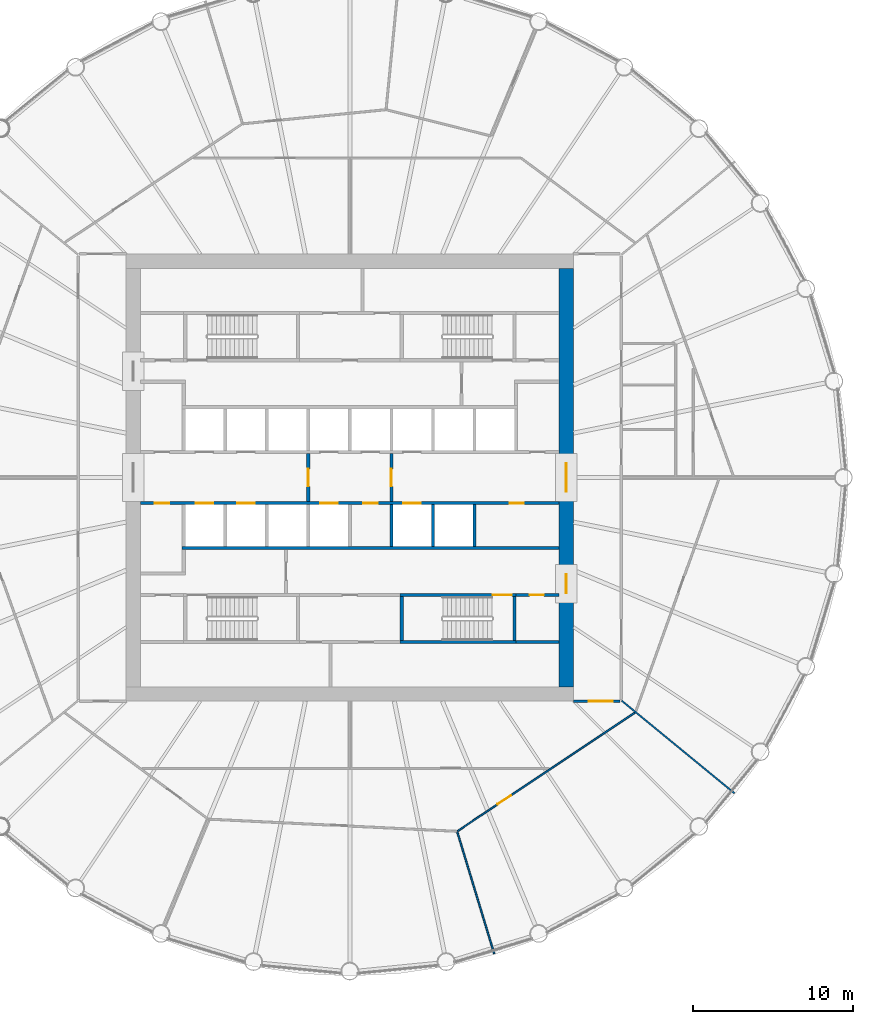
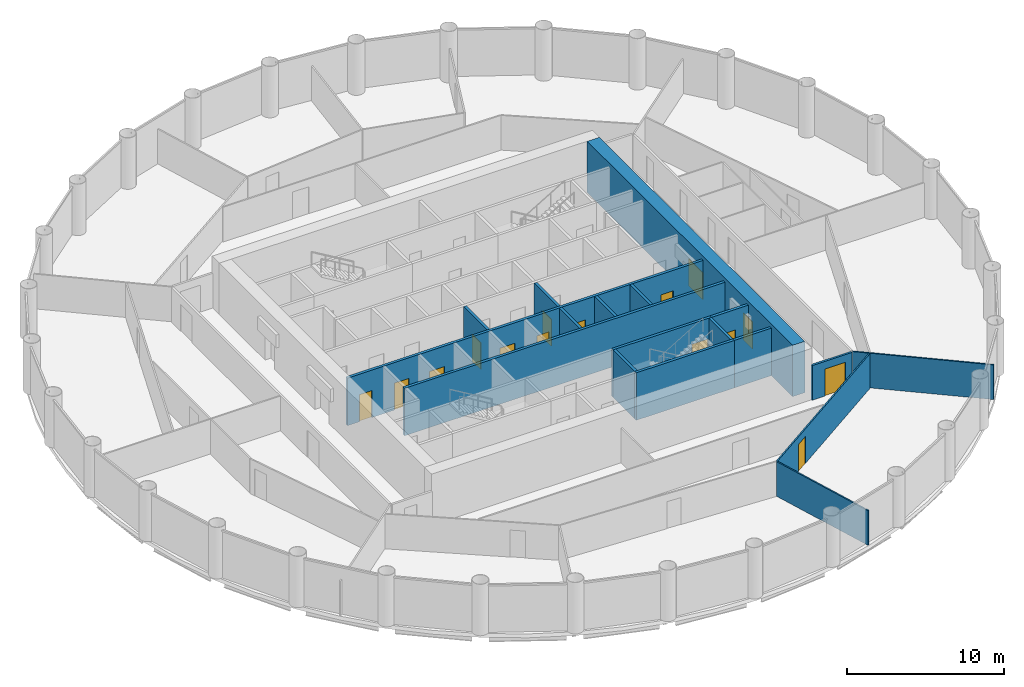
# One storey, part 5 of 9: 18 walls, 15 doors, 15 openings.
"""IFC4 building model written with IfcOpenShell, lengths in metres."""

from ifc_helpers import new_model, si_unit, direction, frame, frame_2d, origin, place, context, subcontext, project, spatial, polyline, rectangle, outline, extrude, material, layer, layer_set, type_object, element, fill, save


model = new_model("IFC4")

# Units and contexts
model_context = context("Model", 3, precision=1e-05, world=origin(), true_north=direction((0.0, 1.0)))
body_context = subcontext(model_context, "Body", "Model", "MODEL_VIEW")
ifc_project = project(units=[si_unit("LENGTHUNIT", "METRE"), si_unit("AREAUNIT", "SQUARE_METRE"), si_unit("VOLUMEUNIT", "CUBIC_METRE"), si_unit("PLANEANGLEUNIT", "RADIAN"), si_unit("MASSUNIT", "GRAM", prefix="KILO")], contexts=[model_context])

# Site, building, storey
site_placement = place(None, origin())
site = spatial("IfcSite", under=ifc_project, at=site_placement, CompositionType="ELEMENT")
building_placement = place(site_placement, origin())
building = spatial("IfcBuilding", under=site, at=building_placement, Name="Corvane Civic Tower", CompositionType="ELEMENT")
storey_placement = place(building_placement, frame((0.0, 0.0, 184.0)))
storey = spatial("IfcBuildingStorey", under=building, at=storey_placement, Name="L43", CompositionType="ELEMENT", Elevation=184.0)

# Wall, openings, doors
ifc_material_1 = material(Name="Concrete C60/75", Category="concrete")
ifc_layer_1 = layer(ifc_material_1, 0.89990234375)
ifc_layer_set_1 = layer_set([ifc_layer_1], Name="Concrete C60/75")
wall_type_1 = type_object("IfcWallType", Name="CORE WALL 900 C60/75", PredefinedType="SHEAR", material=ifc_layer_set_1)
wall_1_placement = place(storey_placement, frame((13.550048828125, -13.10009765625, 0.0), z_axis=(0.0, 0.0, 1.0), x_axis=(0.0, 1.0, 0.0)))
wall_1 = element("IfcWall", 1, at=wall_1_placement, inside=storey, type_object=wall_type_1, Name="W-L43-core-E", PredefinedType="SHEAR", context=body_context, shape_type="SweptSolid", body=[
    extrude(rectangle(XDim=26.2001953125, YDim=0.89990234375, at=frame_2d((13.10009765625, 0.0))), origin(), (0.0, 0.0, 1.0), 4.0),
])
opening_1_placement = place(wall_1_placement, frame((12.199951171875, 0.0, 0.0)))
opening_1 = element("IfcOpeningElement", 2, at=opening_1_placement, cuts=wall_1, Name="Opening L43.C25", PredefinedType="OPENING", context=body_context, shape_type="SweptSolid", body=[
    extrude(rectangle(XDim=1.800048828125, YDim=2.10009765625, at=frame_2d((0.89990234375, 1.050048828125))), frame((0.0, 0.4599609375, 0.0), z_axis=(0.0, -1.0, 0.0), x_axis=(1.0, 0.0, 0.0)), (0.0, 0.0, 1.0), 0.919921875),
])
opening_2_placement = place(wall_1_placement, frame((5.85009765625, 0.0, 0.0)))
opening_2 = element("IfcOpeningElement", 3, at=opening_2_placement, cuts=wall_1, Name="Opening L43.C27", PredefinedType="OPENING", context=body_context, shape_type="SweptSolid", body=[
    extrude(rectangle(XDim=1.199951171875, YDim=2.10009765625, at=frame_2d((0.60009765625, 1.050048828125))), frame((0.0, 0.4599609375, 0.0), z_axis=(0.0, -1.0, 0.0), x_axis=(1.0, 0.0, 0.0)), (0.0, 0.0, 1.0), 0.919921875),
])
ifc_material_2 = material(Name="Steel fire door leaf", Category="steel")
door_type_1 = type_object("IfcDoorType", Name="CR-DOOR-CORE-1800", OperationType="DOUBLE_DOOR_SINGLE_SWING", PredefinedType="DOOR", material=ifc_material_2)
door_1_placement = place(opening_1_placement, origin())
door_1 = element("IfcDoor", 4, at=door_1_placement, inside=storey, type_object=door_type_1, Name="L43 door", OperationType="DOUBLE_DOOR_SINGLE_SWING", OverallHeight=2.10009765625, OverallWidth=1.800048828125, PredefinedType="DOOR", context=body_context, shape_type="SweptSolid", body=[
    extrude(rectangle(XDim=1.800048828125, YDim=2.10009765625, at=frame_2d((0.89990234375, 1.050048828125))), frame((0.0, 0.02490234375, 0.0), z_axis=(0.0, -1.0, 0.0), x_axis=(1.0, 0.0, 0.0)), (0.0, 0.0, 1.0), 0.050048828125),
])
fill(opening_1, door_1)
door_2_placement = place(opening_2_placement, origin())
door_2 = element("IfcDoor", 5, at=door_2_placement, inside=storey, type_object=door_type_1, Name="L43 door", OperationType="DOUBLE_DOOR_SINGLE_SWING", OverallHeight=2.10009765625, OverallWidth=1.199951171875, PredefinedType="DOOR", context=body_context, shape_type="SweptSolid", body=[
    extrude(rectangle(XDim=1.199951171875, YDim=2.10009765625, at=frame_2d((0.60009765625, 1.050048828125))), frame((0.0, 0.02490234375, 0.0), z_axis=(0.0, -1.0, 0.0), x_axis=(1.0, 0.0, 0.0)), (0.0, 0.0, 1.0), 0.050048828125),
])
fill(opening_2, door_2)

# Wall, opening, door
ifc_material_3 = material(Name="Concrete C30/37", Category="concrete")
ifc_layer_2 = layer(ifc_material_3, 0.199951171875)
ifc_layer_set_2 = layer_set([ifc_layer_2], Name="Concrete C30/37")
wall_type_2 = type_object("IfcWallType", Name="CR-WALL-200", PredefinedType="PARTITIONING", material=ifc_layer_set_2)
wall_2_placement = place(storey_placement, frame((10.39990234375, -7.35009765625, 0.0), z_axis=(0.0, 0.0, 1.0), x_axis=(1.0, 0.0, 0.0)))
wall_2 = element("IfcWall", 6, at=wall_2_placement, inside=storey, type_object=wall_type_2, Name="L43 core partition wall", PredefinedType="PARTITIONING", context=body_context, shape_type="SweptSolid", body=[
    extrude(rectangle(XDim=2.7001953125, YDim=0.199951171875, at=frame_2d((1.35009765625, 0.0))), origin(), (0.0, 0.0, 1.0), 3.699951171875),
])
opening_3_placement = place(wall_2_placement, frame((0.85009765625, 0.0, 0.0)))
opening_3 = element("IfcOpeningElement", 7, at=opening_3_placement, cuts=wall_2, Name="Opening L43.C15", PredefinedType="OPENING", context=body_context, shape_type="SweptSolid", body=[
    extrude(rectangle(XDim=0.89990234375, YDim=2.10009765625, at=frame_2d((0.449951171875, 1.050048828125))), frame((0.0, 0.10986328125, 0.0), z_axis=(0.0, -1.0, 0.0), x_axis=(1.0, 0.0, 0.0)), (0.0, 0.0, 1.0), 0.219970703125),
])
ifc_material_4 = material(Name="Steel fire door leaf", Category="steel")
door_type_2 = type_object("IfcDoorType", Name="CR-DOOR-900", OperationType="SINGLE_SWING_LEFT", PredefinedType="DOOR", material=ifc_material_4)
door_3_placement = place(opening_3_placement, origin())
door_3 = element("IfcDoor", 8, at=door_3_placement, inside=storey, type_object=door_type_2, Name="L43 door", OperationType="SINGLE_SWING_LEFT", OverallHeight=2.10009765625, OverallWidth=0.89990234375, PredefinedType="DOOR", context=body_context, shape_type="SweptSolid", body=[
    extrude(rectangle(XDim=0.89990234375, YDim=2.10009765625, at=frame_2d((0.449951171875, 1.050048828125))), frame((0.0, 0.02490234375, 0.0), z_axis=(0.0, -1.0, 0.0), x_axis=(1.0, 0.0, 0.0)), (0.0, 0.0, 1.0), 0.050048828125),
])
fill(opening_3, door_3)

# Wall, openings, doors
wall_3_placement = place(storey_placement, frame((-13.10009765625, -1.60009765625, 0.0), z_axis=(0.0, 0.0, 1.0), x_axis=(1.0, 0.0, 0.0)))
wall_3 = element("IfcWall", 9, at=wall_3_placement, inside=storey, type_object=wall_type_2, Name="L43 lift shaft wall", PredefinedType="PARTITIONING", context=body_context, shape_type="SweptSolid", body=[
    extrude(rectangle(XDim=26.2001953125, YDim=0.199951171875, at=frame_2d((13.10009765625, 0.0))), origin(), (0.0, 0.0, 1.0), 3.699951171875),
])
opening_4_placement = place(wall_3_placement, frame((3.449951171875, 0.0, 0.0)))
opening_4 = element("IfcOpeningElement", 10, at=opening_4_placement, cuts=wall_3, Name="Opening LD", PredefinedType="OPENING", context=body_context, shape_type="SweptSolid", body=[
    extrude(rectangle(XDim=1.10009765625, YDim=2.10009765625, at=frame_2d((0.550048828125, 1.050048828125))), frame((0.0, 0.10986328125, 0.0), z_axis=(0.0, -1.0, 0.0), x_axis=(1.0, 0.0, 0.0)), (0.0, 0.0, 1.0), 0.219970703125),
])
opening_5_placement = place(wall_3_placement, frame((6.050048828125, 0.0, 0.0)))
opening_5 = element("IfcOpeningElement", 11, at=opening_5_placement, cuts=wall_3, Name="Opening LD", PredefinedType="OPENING", context=body_context, shape_type="SweptSolid", body=[
    extrude(rectangle(XDim=1.10009765625, YDim=2.10009765625, at=frame_2d((0.550048828125, 1.050048828125))), frame((0.0, 0.10986328125, 0.0), z_axis=(0.0, -1.0, 0.0), x_axis=(1.0, 0.0, 0.0)), (0.0, 0.0, 1.0), 0.219970703125),
])
opening_6_placement = place(wall_3_placement, frame((11.25, 0.0, 0.0)))
opening_6 = element("IfcOpeningElement", 12, at=opening_6_placement, cuts=wall_3, Name="Opening LD", PredefinedType="OPENING", context=body_context, shape_type="SweptSolid", body=[
    extrude(rectangle(XDim=1.10009765625, YDim=2.10009765625, at=frame_2d((0.550048828125, 1.050048828125))), frame((0.0, 0.10986328125, 0.0), z_axis=(0.0, -1.0, 0.0), x_axis=(1.0, 0.0, 0.0)), (0.0, 0.0, 1.0), 0.219970703125),
])
opening_7_placement = place(wall_3_placement, frame((13.949951171875, 0.0, 0.0)))
opening_7 = element("IfcOpeningElement", 13, at=opening_7_placement, cuts=wall_3, Name="Opening L43.C03", PredefinedType="OPENING", context=body_context, shape_type="SweptSolid", body=[
    extrude(rectangle(XDim=0.89990234375, YDim=2.10009765625, at=frame_2d((0.449951171875, 1.050048828125))), frame((0.0, 0.10986328125, 0.0), z_axis=(0.0, -1.0, 0.0), x_axis=(1.0, 0.0, 0.0)), (0.0, 0.0, 1.0), 0.219970703125),
])
opening_8_placement = place(wall_3_placement, frame((16.449951171875, 0.0, 0.0)))
opening_8 = element("IfcOpeningElement", 14, at=opening_8_placement, cuts=wall_3, Name="Opening LD", PredefinedType="OPENING", context=body_context, shape_type="SweptSolid", body=[
    extrude(rectangle(XDim=1.10009765625, YDim=2.10009765625, at=frame_2d((0.550048828125, 1.050048828125))), frame((0.0, 0.10986328125, 0.0), z_axis=(0.0, -1.0, 0.0), x_axis=(1.0, 0.0, 0.0)), (0.0, 0.0, 1.0), 0.219970703125),
])
opening_9_placement = place(wall_3_placement, frame((0.89990234375, 0.0, 0.0)))
opening_9 = element("IfcOpeningElement", 15, at=opening_9_placement, cuts=wall_3, Name="Opening L43.C04", PredefinedType="OPENING", context=body_context, shape_type="SweptSolid", body=[
    extrude(rectangle(XDim=0.89990234375, YDim=2.10009765625, at=frame_2d((0.449951171875, 1.050048828125))), frame((0.0, 0.10986328125, 0.0), z_axis=(0.0, -1.0, 0.0), x_axis=(1.0, 0.0, 0.0)), (0.0, 0.0, 1.0), 0.219970703125),
])
opening_10_placement = place(wall_3_placement, frame((23.10009765625, 0.0, 0.0)))
opening_10 = element("IfcOpeningElement", 16, at=opening_10_placement, cuts=wall_3, Name="Opening L43.C05", PredefinedType="OPENING", context=body_context, shape_type="SweptSolid", body=[
    extrude(rectangle(XDim=0.89990234375, YDim=2.10009765625, at=frame_2d((0.449951171875, 1.050048828125))), frame((0.0, 0.10986328125, 0.0), z_axis=(0.0, -1.0, 0.0), x_axis=(1.0, 0.0, 0.0)), (0.0, 0.0, 1.0), 0.219970703125),
])
door_4_placement = place(opening_7_placement, origin())
door_4 = element("IfcDoor", 17, at=door_4_placement, inside=storey, type_object=door_type_2, Name="L43 door", OperationType="SINGLE_SWING_LEFT", OverallHeight=2.10009765625, OverallWidth=0.89990234375, PredefinedType="DOOR", context=body_context, shape_type="SweptSolid", body=[
    extrude(rectangle(XDim=0.89990234375, YDim=2.10009765625, at=frame_2d((0.449951171875, 1.050048828125))), frame((0.0, 0.02490234375, 0.0), z_axis=(0.0, -1.0, 0.0), x_axis=(1.0, 0.0, 0.0)), (0.0, 0.0, 1.0), 0.050048828125),
])
fill(opening_7, door_4)
door_5_placement = place(opening_9_placement, origin())
door_5 = element("IfcDoor", 18, at=door_5_placement, inside=storey, type_object=door_type_2, Name="L43 door", OperationType="SINGLE_SWING_LEFT", OverallHeight=2.10009765625, OverallWidth=0.89990234375, PredefinedType="DOOR", context=body_context, shape_type="SweptSolid", body=[
    extrude(rectangle(XDim=0.89990234375, YDim=2.10009765625, at=frame_2d((0.449951171875, 1.050048828125))), frame((0.0, 0.02490234375, 0.0), z_axis=(0.0, -1.0, 0.0), x_axis=(1.0, 0.0, 0.0)), (0.0, 0.0, 1.0), 0.050048828125),
])
fill(opening_9, door_5)
door_6_placement = place(opening_10_placement, origin())
door_6 = element("IfcDoor", 19, at=door_6_placement, inside=storey, type_object=door_type_2, Name="L43 door", OperationType="SINGLE_SWING_LEFT", OverallHeight=2.10009765625, OverallWidth=0.89990234375, PredefinedType="DOOR", context=body_context, shape_type="SweptSolid", body=[
    extrude(rectangle(XDim=0.89990234375, YDim=2.10009765625, at=frame_2d((0.449951171875, 1.050048828125))), frame((0.0, 0.02490234375, 0.0), z_axis=(0.0, -1.0, 0.0), x_axis=(1.0, 0.0, 0.0)), (0.0, 0.0, 1.0), 0.050048828125),
])
fill(opening_10, door_6)
ifc_material_5 = material(Name="Stainless steel 316 door leaves", Category="steel")
door_type_3 = type_object("IfcDoorType", Name="LD", OperationType="DOUBLE_DOOR_SLIDING", PredefinedType="DOOR", material=ifc_material_5)
door_7_placement = place(opening_4_placement, origin())
door_7 = element("IfcDoor", 20, at=door_7_placement, inside=storey, type_object=door_type_3, Name="L43 landing door", OperationType="DOUBLE_DOOR_SLIDING", OverallHeight=2.10009765625, OverallWidth=1.10009765625, PredefinedType="DOOR", context=body_context, shape_type="SweptSolid", body=[
    extrude(rectangle(XDim=1.10009765625, YDim=2.10009765625, at=frame_2d((0.550048828125, 1.050048828125))), frame((0.0, 0.02490234375, 0.0), z_axis=(0.0, -1.0, 0.0), x_axis=(1.0, 0.0, 0.0)), (0.0, 0.0, 1.0), 0.050048828125),
])
fill(opening_4, door_7)
door_8_placement = place(opening_5_placement, origin())
door_8 = element("IfcDoor", 21, at=door_8_placement, inside=storey, type_object=door_type_3, Name="L43 landing door", OperationType="DOUBLE_DOOR_SLIDING", OverallHeight=2.10009765625, OverallWidth=1.10009765625, PredefinedType="DOOR", context=body_context, shape_type="SweptSolid", body=[
    extrude(rectangle(XDim=1.10009765625, YDim=2.10009765625, at=frame_2d((0.550048828125, 1.050048828125))), frame((0.0, 0.02490234375, 0.0), z_axis=(0.0, -1.0, 0.0), x_axis=(1.0, 0.0, 0.0)), (0.0, 0.0, 1.0), 0.050048828125),
])
fill(opening_5, door_8)
door_9_placement = place(opening_6_placement, origin())
door_9 = element("IfcDoor", 22, at=door_9_placement, inside=storey, type_object=door_type_3, Name="L43 landing door", OperationType="DOUBLE_DOOR_SLIDING", OverallHeight=2.10009765625, OverallWidth=1.10009765625, PredefinedType="DOOR", context=body_context, shape_type="SweptSolid", body=[
    extrude(rectangle(XDim=1.10009765625, YDim=2.10009765625, at=frame_2d((0.550048828125, 1.050048828125))), frame((0.0, 0.02490234375, 0.0), z_axis=(0.0, -1.0, 0.0), x_axis=(1.0, 0.0, 0.0)), (0.0, 0.0, 1.0), 0.050048828125),
])
fill(opening_6, door_9)
door_10_placement = place(opening_8_placement, origin())
door_10 = element("IfcDoor", 23, at=door_10_placement, inside=storey, type_object=door_type_3, Name="L43 landing door", OperationType="DOUBLE_DOOR_SLIDING", OverallHeight=2.10009765625, OverallWidth=1.10009765625, PredefinedType="DOOR", context=body_context, shape_type="SweptSolid", body=[
    extrude(rectangle(XDim=1.10009765625, YDim=2.10009765625, at=frame_2d((0.550048828125, 1.050048828125))), frame((0.0, 0.02490234375, 0.0), z_axis=(0.0, -1.0, 0.0), x_axis=(1.0, 0.0, 0.0)), (0.0, 0.0, 1.0), 0.050048828125),
])
fill(opening_8, door_10)

# Wall, opening, door
wall_4_placement = place(storey_placement, frame((-2.60009765625, -1.5, 0.0), z_axis=(0.0, 0.0, 1.0), x_axis=(0.0, 1.0, 0.0)))
wall_4 = element("IfcWall", 24, at=wall_4_placement, inside=storey, type_object=wall_type_2, Name="L43 firefighting lobby wall", PredefinedType="PARTITIONING", context=body_context, shape_type="SweptSolid", body=[
    extrude(rectangle(XDim=3.0, YDim=0.199951171875, at=frame_2d((1.5, 0.0))), origin(), (0.0, 0.0, 1.0), 3.699951171875),
])
opening_11_placement = place(wall_4_placement, frame((0.949951171875, 0.0, 0.0)))
opening_11 = element("IfcOpeningElement", 25, at=opening_11_placement, cuts=wall_4, Name="Opening L43.C20", PredefinedType="OPENING", context=body_context, shape_type="SweptSolid", body=[
    extrude(rectangle(XDim=1.10009765625, YDim=2.10009765625, at=frame_2d((0.550048828125, 1.050048828125))), frame((0.0, 0.10986328125, 0.0), z_axis=(0.0, -1.0, 0.0), x_axis=(1.0, 0.0, 0.0)), (0.0, 0.0, 1.0), 0.219970703125),
])
ifc_material_6 = material(Name="Steel fire door leaf", Category="steel")
door_type_4 = type_object("IfcDoorType", Name="CR-DOOR-FFL-1100", OperationType="SINGLE_SWING_LEFT", PredefinedType="DOOR", material=ifc_material_6)
door_11_placement = place(opening_11_placement, origin())
door_11 = element("IfcDoor", 26, at=door_11_placement, inside=storey, type_object=door_type_4, Name="L43 lobby door", OperationType="SINGLE_SWING_LEFT", OverallHeight=2.10009765625, OverallWidth=1.10009765625, PredefinedType="DOOR", context=body_context, shape_type="SweptSolid", body=[
    extrude(rectangle(XDim=1.10009765625, YDim=2.10009765625, at=frame_2d((0.550048828125, 1.050048828125))), frame((0.0, 0.02490234375, 0.0), z_axis=(0.0, -1.0, 0.0), x_axis=(1.0, 0.0, 0.0)), (0.0, 0.0, 1.0), 0.050048828125),
])
fill(opening_11, door_11)

wall_5_placement = place(storey_placement, frame((2.60009765625, -1.5, 0.0), z_axis=(0.0, 0.0, 1.0), x_axis=(0.0, 1.0, 0.0)))
wall_5 = element("IfcWall", 27, at=wall_5_placement, inside=storey, type_object=wall_type_2, Name="L43 firefighting lobby wall", PredefinedType="PARTITIONING", context=body_context, shape_type="SweptSolid", body=[
    extrude(rectangle(XDim=3.0, YDim=0.199951171875, at=frame_2d((1.5, 0.0))), origin(), (0.0, 0.0, 1.0), 3.699951171875),
])
opening_12_placement = place(wall_5_placement, frame((0.949951171875, 0.0, 0.0)))
opening_12 = element("IfcOpeningElement", 28, at=opening_12_placement, cuts=wall_5, Name="Opening L43.C21", PredefinedType="OPENING", context=body_context, shape_type="SweptSolid", body=[
    extrude(rectangle(XDim=1.10009765625, YDim=2.10009765625, at=frame_2d((0.550048828125, 1.050048828125))), frame((0.0, 0.10986328125, 0.0), z_axis=(0.0, -1.0, 0.0), x_axis=(1.0, 0.0, 0.0)), (0.0, 0.0, 1.0), 0.219970703125),
])
door_12_placement = place(opening_12_placement, origin())
door_12 = element("IfcDoor", 29, at=door_12_placement, inside=storey, type_object=door_type_4, Name="L43 lobby door", OperationType="SINGLE_SWING_LEFT", OverallHeight=2.10009765625, OverallWidth=1.10009765625, PredefinedType="DOOR", context=body_context, shape_type="SweptSolid", body=[
    extrude(rectangle(XDim=1.10009765625, YDim=2.10009765625, at=frame_2d((0.550048828125, 1.050048828125))), frame((0.0, 0.02490234375, 0.0), z_axis=(0.0, -1.0, 0.0), x_axis=(1.0, 0.0, 0.0)), (0.0, 0.0, 1.0), 0.050048828125),
])
fill(opening_12, door_12)

# Walls
wall_6_placement = place(storey_placement, origin())
element("IfcWall", 30, at=wall_6_placement, inside=storey, type_object=wall_type_2, Name="L43 core partition wall", PredefinedType="PARTITIONING", context=body_context, shape_type="SweptSolid", body=[
    extrude(outline(polyline([(13.10009765625, -4.300048828125), (13.10009765625, -4.5), (-10.5, -4.5), (-10.5, -4.300048828125), (13.10009765625, -4.300048828125)])), origin(), (0.0, 0.0, 1.0), 3.699951171875),
])
wall_7_placement = place(storey_placement, origin())
element("IfcWall", 31, at=wall_7_placement, inside=storey, type_object=wall_type_2, Name="L43 core partition wall", PredefinedType="PARTITIONING", context=body_context, shape_type="SweptSolid", body=[
    extrude(outline(polyline([(2.699951171875, -1.699951171875), (2.699951171875, -4.2998046875), (2.5, -4.2998046875), (2.5, -1.699951171875), (2.699951171875, -1.699951171875)])), origin(), (0.0, 0.0, 1.0), 3.699951171875),
])
wall_8_placement = place(storey_placement, origin())
element("IfcWall", 32, at=wall_8_placement, inside=storey, type_object=wall_type_2, Name="L43 core partition wall", PredefinedType="PARTITIONING", context=body_context, shape_type="SweptSolid", body=[
    extrude(outline(polyline([(5.300048828125, -1.699951171875), (5.300048828125, -4.2998046875), (5.10009765625, -4.2998046875), (5.10009765625, -1.699951171875), (5.300048828125, -1.699951171875)])), origin(), (0.0, 0.0, 1.0), 3.699951171875),
])
wall_9_placement = place(storey_placement, origin())
element("IfcWall", 33, at=wall_9_placement, inside=storey, type_object=wall_type_2, Name="L43 core partition wall", PredefinedType="PARTITIONING", context=body_context, shape_type="SweptSolid", body=[
    extrude(outline(polyline([(7.89990234375, -1.699951171875), (7.89990234375, -4.2998046875), (7.699951171875, -4.2998046875), (7.699951171875, -1.699951171875), (7.89990234375, -1.699951171875)])), origin(), (0.0, 0.0, 1.0), 3.699951171875),
])
wall_10_placement = place(storey_placement, origin())
element("IfcWall", 34, at=wall_10_placement, inside=storey, type_object=wall_type_2, Name="L43 core partition wall", PredefinedType="PARTITIONING", context=body_context, shape_type="SweptSolid", body=[
    extrude(outline(polyline([(13.10009765625, -10.39990234375), (10.39990234375, -10.39990234375), (10.39990234375, -10.199951171875), (13.10009765625, -10.199951171875), (13.10009765625, -10.39990234375)])), origin(), (0.0, 0.0, 1.0), 3.699951171875),
])
ifc_material_7 = material(Name="Plasterboard")
ifc_layer_3 = layer(ifc_material_7, 0.10009765625)
ifc_layer_set_3 = layer_set([ifc_layer_3], Name="Plasterboard")
wall_type_3 = type_object("IfcWallType", Name="Partition 100 plasterboard on studs", PredefinedType="PARTITIONING", material=ifc_layer_set_3)
wall_11_placement = place(storey_placement, frame((6.72802734375, -22.1796875, 0.0), z_axis=(0.0, 0.0, 1.0), x_axis=(0.29030485327, -0.956934215173, 0.0)))
element("IfcWall", 35, at=wall_11_placement, inside=storey, type_object=wall_type_3, Name="Partition L43.001", PredefinedType="PARTITIONING", context=body_context, shape_type="SweptSolid", body=[
    extrude(rectangle(XDim=7.972412109375, YDim=0.10009765625, at=frame_2d((3.986328125, 0.0))), origin(), (0.0, 0.0, 1.0), 2.699951171875),
])

# Wall, opening, door
wall_12_placement = place(storey_placement, frame((6.748291015625, -22.12353515625, 0.0), z_axis=(0.0, 0.0, 1.0), x_axis=(0.831460930183, 0.55558322651, 0.0)))
wall_12 = element("IfcWall", 36, at=wall_12_placement, inside=storey, type_object=wall_type_3, Name="Partition L43.004", PredefinedType="PARTITIONING", context=body_context, shape_type="SweptSolid", body=[
    extrude(rectangle(XDim=13.330078125, YDim=0.10009765625, at=frame_2d((6.6650390625, 0.0))), origin(), (0.0, 0.0, 1.0), 2.699951171875),
])
opening_13_placement = place(wall_12_placement, frame((3.012451171875, 0.0, 0.0)))
opening_13 = element("IfcOpeningElement", 37, at=opening_13_placement, cuts=wall_12, Name="Opening L43.007", PredefinedType="OPENING", context=body_context, shape_type="SweptSolid", body=[
    extrude(rectangle(XDim=1.0, YDim=2.10009765625, at=frame_2d((0.5, 1.050048828125))), frame((0.0, 0.06005859375, 0.0), z_axis=(0.0, -1.0, 0.0), x_axis=(1.0, 0.0, 0.0)), (0.0, 0.0, 1.0), 0.1201171875),
])
ifc_material_8 = material(Name="Timber", Category="wood")
door_type_5 = type_object("IfcDoorType", Name="Single door 1000", OperationType="NOTDEFINED", PredefinedType="DOOR", material=ifc_material_8)
door_13_placement = place(opening_13_placement, frame((1.0, 0.0, 0.0), z_axis=(0.0, 0.0, 1.0), x_axis=(-1.0, 0.0, 0.0)))
door_13 = element("IfcDoor", 38, at=door_13_placement, inside=storey, type_object=door_type_5, Name="Door L43.007", OperationType="SINGLE_SWING_LEFT", OverallHeight=2.10009765625, OverallWidth=1.0, PredefinedType="DOOR", context=body_context, shape_type="SweptSolid", body=[
    extrude(rectangle(XDim=1.0, YDim=2.10009765625, at=frame_2d((0.5, 1.050048828125))), frame((0.0, 0.02490234375, 0.0), z_axis=(0.0, -1.0, 0.0), x_axis=(1.0, 0.0, 0.0)), (0.0, 0.0, 1.0), 0.050048828125),
])
fill(opening_13, door_13)

# Wall
wall_13_placement = place(storey_placement, frame((17.018310546875, -13.966552734375, 0.0), z_axis=(0.0, 0.0, 1.0), x_axis=(0.773006154143, -0.634398522742, 0.0)))
element("IfcWall", 39, at=wall_13_placement, inside=storey, type_object=wall_type_3, Name="Partition L43.007", PredefinedType="PARTITIONING", context=body_context, shape_type="SweptSolid", body=[
    extrude(rectangle(XDim=9.134521484375, YDim=0.10009765625, at=frame_2d((4.5673828125, 0.0))), origin(), (0.0, 0.0, 1.0), 2.699951171875),
])

# Wall, opening, door
ifc_material_9 = material(Name="Concrete C50/60", Category="concrete")
ifc_layer_4 = layer(ifc_material_9, 0.199951171875)
ifc_layer_set_4 = layer_set([ifc_layer_4], Name="Concrete C50/60")
wall_type_4 = type_object("IfcWallType", Name="ST-WALL-200", PredefinedType="SHEAR", material=ifc_layer_set_4)
wall_14_placement = place(storey_placement, frame((3.14990234375, -7.35009765625, 0.0), z_axis=(0.0, 0.0, 1.0), x_axis=(1.0, 0.0, 0.0)))
wall_14 = element("IfcWall", 40, at=wall_14_placement, inside=storey, type_object=wall_type_4, Name="L43 stair enclosure wall", PredefinedType="SHEAR", context=body_context, shape_type="SweptSolid", body=[
    extrude(rectangle(XDim=7.25, YDim=0.199951171875, at=frame_2d((3.625, 0.0))), origin(), (0.0, 0.0, 1.0), 3.699951171875),
])
opening_14_placement = place(wall_14_placement, frame((5.800048828125, 0.0, 0.0)))
opening_14 = element("IfcOpeningElement", 41, at=opening_14_placement, cuts=wall_14, Name="Opening L43.C18", PredefinedType="OPENING", context=body_context, shape_type="SweptSolid", body=[
    extrude(rectangle(XDim=1.199951171875, YDim=2.10009765625, at=frame_2d((0.60009765625, 1.050048828125))), frame((0.0, 0.10986328125, 0.0), z_axis=(0.0, -1.0, 0.0), x_axis=(1.0, 0.0, 0.0)), (0.0, 0.0, 1.0), 0.219970703125),
])
ifc_material_10 = material(Name="Steel fire door leaf", Category="steel")
door_type_6 = type_object("IfcDoorType", Name="ST-DOOR-1200", OperationType="SINGLE_SWING_RIGHT", PredefinedType="DOOR", material=ifc_material_10)
door_14_placement = place(opening_14_placement, origin())
door_14 = element("IfcDoor", 42, at=door_14_placement, inside=storey, type_object=door_type_6, Name="L43 stair door", OperationType="SINGLE_SWING_RIGHT", OverallHeight=2.10009765625, OverallWidth=1.199951171875, PredefinedType="DOOR", context=body_context, shape_type="SweptSolid", body=[
    extrude(rectangle(XDim=1.199951171875, YDim=2.10009765625, at=frame_2d((0.60009765625, 1.050048828125))), frame((0.0, 0.02490234375, 0.0), z_axis=(0.0, -1.0, 0.0), x_axis=(1.0, 0.0, 0.0)), (0.0, 0.0, 1.0), 0.050048828125),
])
fill(opening_14, door_14)

# Walls
wall_15_placement = place(storey_placement, origin())
element("IfcWall", 43, at=wall_15_placement, inside=storey, type_object=wall_type_4, Name="L43 stair enclosure wall", PredefinedType="SHEAR", context=body_context, shape_type="SweptSolid", body=[
    extrude(outline(polyline([(10.39990234375, -10.39990234375), (3.14990234375, -10.39990234375), (3.14990234375, -10.199951171875), (10.39990234375, -10.199951171875), (10.39990234375, -10.39990234375)])), origin(), (0.0, 0.0, 1.0), 3.699951171875),
])
wall_16_placement = place(storey_placement, origin())
element("IfcWall", 44, at=wall_16_placement, inside=storey, type_object=wall_type_4, Name="L43 stair enclosure wall", PredefinedType="SHEAR", context=body_context, shape_type="SweptSolid", body=[
    extrude(outline(polyline([(3.35009765625, -7.449951171875), (3.35009765625, -10.199951171875), (3.14990234375, -10.199951171875), (3.14990234375, -7.449951171875), (3.35009765625, -7.449951171875)])), origin(), (0.0, 0.0, 1.0), 3.699951171875),
])
wall_17_placement = place(storey_placement, origin())
element("IfcWall", 45, at=wall_17_placement, inside=storey, type_object=wall_type_4, Name="L43 stair enclosure wall", PredefinedType="SHEAR", context=body_context, shape_type="SweptSolid", body=[
    extrude(outline(polyline([(10.39990234375, -7.449951171875), (10.39990234375, -10.199951171875), (10.199951171875, -10.199951171875), (10.199951171875, -7.449951171875), (10.39990234375, -7.449951171875)])), origin(), (0.0, 0.0, 1.0), 3.699951171875),
])

# Wall, opening, door
ifc_material_11 = material(Name="Plasterboard")
ifc_layer_5 = layer(ifc_material_11, 0.14990234375)
ifc_layer_set_5 = layer_set([ifc_layer_5], Name="Plasterboard")
wall_type_5 = type_object("IfcWallType", Name="Tenancy wall 150 EI 60", PredefinedType="PARTITIONING", material=ifc_layer_set_5)
wall_18_placement = place(storey_placement, frame((13.989990234375, -14.0, 0.0), z_axis=(0.0, 0.0, 1.0), x_axis=(1.0, 0.0, 0.0)))
wall_18 = element("IfcWall", 46, at=wall_18_placement, inside=storey, type_object=wall_type_5, Name="Partition L43.013", PredefinedType="PARTITIONING", context=body_context, shape_type="SweptSolid", body=[
    extrude(rectangle(XDim=2.93505859375, YDim=0.14990234375, at=frame_2d((1.467529296875, 0.0))), origin(), (0.0, 0.0, 1.0), 2.699951171875),
])
opening_15_placement = place(wall_18_placement, frame((0.954345703125, 0.0, 0.0)))
opening_15 = element("IfcOpeningElement", 47, at=opening_15_placement, cuts=wall_18, Name="Opening L43.011", PredefinedType="OPENING", context=body_context, shape_type="SweptSolid", body=[
    extrude(rectangle(XDim=1.5, YDim=2.10009765625, at=frame_2d((0.75, 1.050048828125))), frame((0.0, 0.0849609375, 0.0), z_axis=(0.0, -1.0, 0.0), x_axis=(1.0, 0.0, 0.0)), (0.0, 0.0, 1.0), 0.169921875),
])
ifc_material_12 = material(Name="Steel and timber", Category="steel")
door_type_7 = type_object("IfcDoorType", Name="Fire door FD60 double 1500", OperationType="NOTDEFINED", PredefinedType="DOOR", material=ifc_material_12)
door_15_placement = place(opening_15_placement, frame((1.5, 0.0, 0.0), z_axis=(0.0, 0.0, 1.0), x_axis=(-1.0, 0.0, 0.0)))
door_15 = element("IfcDoor", 48, at=door_15_placement, inside=storey, type_object=door_type_7, Name="Door L43.011", OperationType="DOUBLE_DOOR_SINGLE_SWING", OverallHeight=2.10009765625, OverallWidth=1.5, PredefinedType="DOOR", context=body_context, shape_type="SweptSolid", body=[
    extrude(rectangle(XDim=1.5, YDim=2.10009765625, at=frame_2d((0.75, 1.050048828125))), frame((0.0, 0.02490234375, 0.0), z_axis=(0.0, -1.0, 0.0), x_axis=(1.0, 0.0, 0.0)), (0.0, 0.0, 1.0), 0.050048828125),
])
fill(opening_15, door_15)

save(model, "model.ifc")
